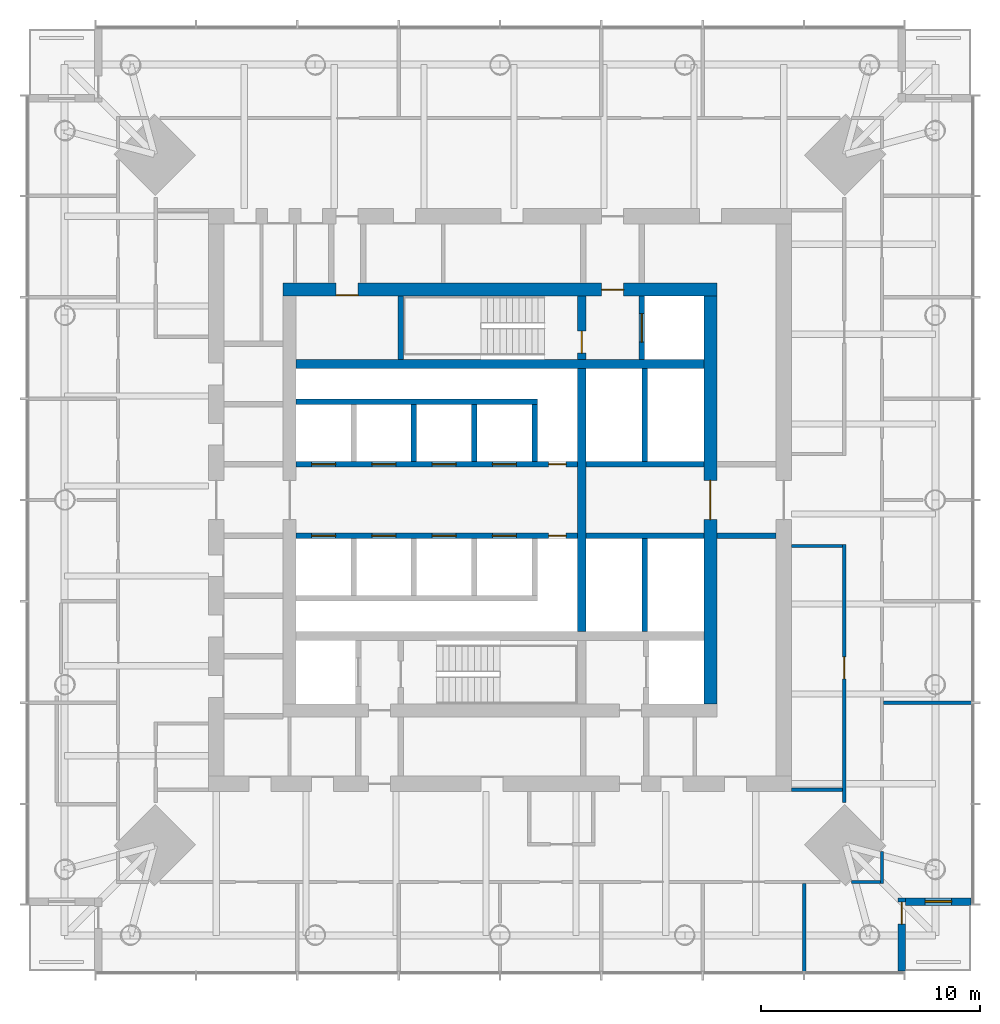
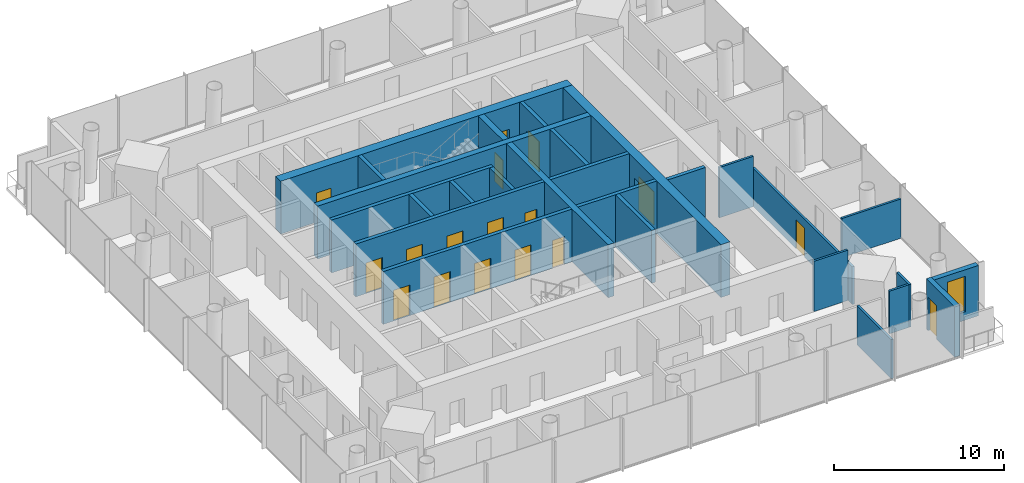
# One storey, part 6 of 9: 27 walls, 17 doors, 1 window, 18 openings.
"""IFC4 building model written with IfcOpenShell, lengths in metres."""

from ifc_helpers import new_model, si_unit, direction, frame, frame_2d, origin, place, context, subcontext, project, spatial, rectangle, extrude, material, layer, layer_set, type_object, element, fill, save


model = new_model("IFC4")

# Units and contexts
model_context = context("Model", 3, precision=1e-05, world=origin(), true_north=direction((0.0, 1.0)))
body_context = subcontext(model_context, "Body", "Model", "MODEL_VIEW")
ifc_project = project(units=[si_unit("LENGTHUNIT", "METRE"), si_unit("AREAUNIT", "SQUARE_METRE"), si_unit("VOLUMEUNIT", "CUBIC_METRE"), si_unit("PLANEANGLEUNIT", "RADIAN"), si_unit("MASSUNIT", "GRAM", prefix="KILO")], contexts=[model_context])

# Site, building, storey
site_placement = place(None, origin())
site = spatial("IfcSite", under=ifc_project, at=site_placement, CompositionType="ELEMENT")
building_placement = place(site_placement, origin())
building = spatial("IfcBuilding", under=site, at=building_placement, Name="Ostroluk Exchange", CompositionType="ELEMENT")
storey_placement = place(building_placement, frame((0.0, 0.0, 150.199951171875)))
storey = spatial("IfcBuildingStorey", under=building, at=storey_placement, Name="L38", CompositionType="ELEMENT", Elevation=150.199951171875)

# Walls
ifc_material_1 = material(Name="Concrete blockwork", Category="masonry")
ifc_layer_1 = layer(ifc_material_1, 0.25)
ifc_layer_set_1 = layer_set([ifc_layer_1], Name="Blockwork stair enclosure wall 250")
wall_type_1 = type_object("IfcWallType", Name="Blockwork stair enclosure wall 250", PredefinedType="SOLIDWALL", material=ifc_layer_set_1)
wall_1_placement = place(storey_placement, frame((54.89990234375, 44.375, 0.0), z_axis=(0.0, 0.0, 1.0), x_axis=(1.0, 0.0, 0.0)))
element("IfcWall", 1, at=wall_1_placement, inside=storey, type_object=wall_type_1, Name="Lift lobby enclosure wall", PredefinedType="SOLIDWALL", context=body_context, shape_type="SweptSolid", body=[
    extrude(rectangle(XDim=2.7001953125, YDim=0.25, at=frame_2d((1.35009765625, 0.0))), origin(), (0.0, 0.0, 1.0), 3.6201171875),
])
ifc_material_2 = material(Name="Concrete C50/60", Category="concrete")
ifc_layer_2 = layer(ifc_material_2, 0.39990234375)
ifc_layer_set_2 = layer_set([ifc_layer_2], Name="Core cross wall 400 C50/60")
wall_type_2 = type_object("IfcWallType", Name="Core cross wall 400 C50/60", PredefinedType="SHEAR", material=ifc_layer_set_2)
wall_2_placement = place(storey_placement, frame((35.699951171875, 52.199951171875, 0.0), z_axis=(0.0, 0.0, 1.0), x_axis=(1.0, 0.0, 0.0)))
element("IfcWall", 2, at=wall_2_placement, inside=storey, type_object=wall_type_2, Name="T1 core wall XN", PredefinedType="SHEAR", context=body_context, shape_type="SweptSolid", body=[
    extrude(rectangle(XDim=18.60009765625, YDim=0.39990234375, at=frame_2d((9.300048828125, 0.0))), origin(), (0.0, 0.0, 1.0), 3.800048828125),
])
wall_3_placement = place(storey_placement, frame((48.72998046875, 40.0, 0.0), z_axis=(0.0, 0.0, 1.0), x_axis=(0.0, 1.0, 0.0)))
element("IfcWall", 3, at=wall_3_placement, inside=storey, type_object=wall_type_2, Name="T1 core wall YE2", PredefinedType="SHEAR", context=body_context, shape_type="SweptSolid", body=[
    extrude(rectangle(XDim=12.0, YDim=0.39990234375, at=frame_2d((6.0, 0.0))), origin(), (0.0, 0.0, 1.0), 3.800048828125),
])

# Wall, opening, door
wall_4_placement = place(storey_placement, frame((48.72998046875, 52.39990234375, 0.0), z_axis=(0.0, 0.0, 1.0), x_axis=(0.0, 1.0, 0.0)))
wall_4 = element("IfcWall", 4, at=wall_4_placement, inside=storey, type_object=wall_type_2, Name="T1 core wall YE3", PredefinedType="SHEAR", context=body_context, shape_type="SweptSolid", body=[
    extrude(rectangle(XDim=2.900146484375, YDim=0.39990234375, at=frame_2d((1.4501953125, 0.0))), origin(), (0.0, 0.0, 1.0), 3.800048828125),
])
opening_1_placement = place(wall_4_placement, frame((0.300048828125, 0.0, 0.0)))
opening_1 = element("IfcOpeningElement", 5, at=opening_1_placement, cuts=wall_4, Name="Opening FD60", PredefinedType="OPENING", context=body_context, shape_type="SweptSolid", body=[
    extrude(rectangle(XDim=1.0, YDim=2.10009765625, at=frame_2d((0.5, 1.050048828125))), frame((0.0, 0.2099609375, 0.0), z_axis=(0.0, -1.0, 0.0), x_axis=(1.0, 0.0, 0.0)), (0.0, 0.0, 1.0), 0.419921875),
])
ifc_material_3 = material(Name="Steel", Category="steel")
door_type_1 = type_object("IfcDoorType", Name="Fire door EI 60 1000 x 2100", OperationType="SINGLE_SWING_LEFT", PredefinedType="DOOR", material=ifc_material_3)
door_1_placement = place(opening_1_placement, origin())
door_1 = element("IfcDoor", 6, at=door_1_placement, inside=storey, type_object=door_type_1, Name="Stair T1-S2 door", OperationType="SINGLE_SWING_LEFT", OverallHeight=2.10009765625, OverallWidth=1.0, PredefinedType="DOOR", context=body_context, shape_type="SweptSolid", body=[
    extrude(rectangle(XDim=1.0, YDim=2.10009765625, at=frame_2d((0.5, 1.050048828125))), frame((0.0, 0.02490234375, 0.0), z_axis=(0.0, -1.0, 0.0), x_axis=(1.0, 0.0, 0.0)), (0.0, 0.0, 1.0), 0.050048828125),
])
fill(opening_1, door_1)

# Wall
ifc_material_4 = material(Name="Concrete C40/50", Category="concrete")
ifc_layer_3 = layer(ifc_material_4, 0.25)
ifc_layer_set_3 = layer_set([ifc_layer_3], Name="Core shaft wall 250")
wall_type_3 = type_object("IfcWallType", Name="Core shaft wall 250", PredefinedType="SHEAR", material=ifc_layer_set_3)
wall_5_placement = place(storey_placement, frame((40.47509765625, 52.39990234375, 0.0), z_axis=(0.0, 0.0, 1.0), x_axis=(0.0, 1.0, 0.0)))
element("IfcWall", 7, at=wall_5_placement, inside=storey, type_object=wall_type_3, Name="Stair shaft wall", PredefinedType="SHEAR", context=body_context, shape_type="SweptSolid", body=[
    extrude(rectangle(XDim=2.900146484375, YDim=0.25, at=frame_2d((1.4501953125, 0.0))), origin(), (0.0, 0.0, 1.0), 3.800048828125),
])

# Wall, opening, door
wall_6_placement = place(storey_placement, frame((51.47509765625, 52.39990234375, 0.0), z_axis=(0.0, 0.0, 1.0), x_axis=(0.0, 1.0, 0.0)))
wall_6 = element("IfcWall", 8, at=wall_6_placement, inside=storey, type_object=wall_type_3, Name="Firefighting lift shaft wall", PredefinedType="SHEAR", context=body_context, shape_type="SweptSolid", body=[
    extrude(rectangle(XDim=2.900146484375, YDim=0.25, at=frame_2d((1.4501953125, 0.0))), origin(), (0.0, 0.0, 1.0), 3.800048828125),
])
opening_2_placement = place(wall_6_placement, frame((0.800048828125, 0.0, 0.0)))
opening_2 = element("IfcOpeningElement", 9, at=opening_2_placement, cuts=wall_6, Name="Opening LD2", PredefinedType="OPENING", context=body_context, shape_type="SweptSolid", body=[
    extrude(rectangle(XDim=1.300048828125, YDim=2.199951171875, at=frame_2d((0.64990234375, 1.10009765625))), frame((0.0, 0.135009765625, 0.0), z_axis=(0.0, -1.0, 0.0), x_axis=(1.0, 0.0, 0.0)), (0.0, 0.0, 1.0), 0.27001953125),
])
ifc_material_5 = material(Name="Stainless steel", Category="steel")
door_type_2 = type_object("IfcDoorType", Name="Lift landing door E 60 1300 x 2200", OperationType="DOUBLE_DOOR_SLIDING", PredefinedType="DOOR", material=ifc_material_5)
door_2_placement = place(opening_2_placement, origin())
door_2 = element("IfcDoor", 10, at=door_2_placement, inside=storey, type_object=door_type_2, Name="Lift FL2 landing door", OperationType="DOUBLE_DOOR_SLIDING", OverallHeight=2.199951171875, OverallWidth=1.300048828125, PredefinedType="DOOR", context=body_context, shape_type="SweptSolid", body=[
    extrude(rectangle(XDim=1.300048828125, YDim=2.199951171875, at=frame_2d((0.64990234375, 1.10009765625))), frame((0.0, 0.02490234375, 0.0), z_axis=(0.0, -1.0, 0.0), x_axis=(1.0, 0.0, 0.0)), (0.0, 0.0, 1.0), 0.050048828125),
])
fill(opening_2, door_2)

# Walls
for number, where, z_axis, x_axis, name in (
    (11, (41.074951171875, 47.75, 0.0), (0.0, 0.0, 1.0), (0.0, 1.0, 0.0), "Lift shaft wall"),
    (12, (43.824951171875, 47.75, 0.0), (0.0, 0.0, 1.0), (0.0, 1.0, 0.0), "Lift shaft wall"),
    (13, (46.574951171875, 47.75, 0.0), (0.0, 0.0, 1.0), (0.0, 1.0, 0.0), "Lift shaft wall"),
):
    element("IfcWall", number, at=place(storey_placement, frame(where, z_axis=z_axis, x_axis=x_axis)), inside=storey, type_object=wall_type_3, Name=name, PredefinedType="SHEAR", context=body_context, shape_type="SweptSolid", body=[
        extrude(rectangle(XDim=2.60009765625, YDim=0.25, at=frame_2d((1.300048828125, 0.0))), origin(), (0.0, 0.0, 1.0), 3.800048828125),
    ])
wall_7_placement = place(storey_placement, frame((35.699951171875, 50.47509765625, 0.0), z_axis=(0.0, 0.0, 1.0), x_axis=(1.0, 0.0, 0.0)))
element("IfcWall", 14, at=wall_7_placement, inside=storey, type_object=wall_type_3, Name="Lift shaft wall", PredefinedType="SHEAR", context=body_context, shape_type="SweptSolid", body=[
    extrude(rectangle(XDim=11.0, YDim=0.25, at=frame_2d((5.5, 0.0))), origin(), (0.0, 0.0, 1.0), 3.800048828125),
])

# Wall, openings, doors
wall_8_placement = place(storey_placement, frame((35.699951171875, 47.625, 0.0), z_axis=(0.0, 0.0, 1.0), x_axis=(1.0, 0.0, 0.0)))
wall_8 = element("IfcWall", 15, at=wall_8_placement, inside=storey, type_object=wall_type_3, Name="Lift shaft front wall", PredefinedType="SHEAR", context=body_context, shape_type="SweptSolid", body=[
    extrude(rectangle(XDim=12.830078125, YDim=0.25, at=frame_2d((6.4150390625, 0.0))), origin(), (0.0, 0.0, 1.0), 3.800048828125),
])
opening_3_placement = place(wall_8_placement, frame((0.699951171875, 0.0, 0.0)))
opening_3 = element("IfcOpeningElement", 16, at=opening_3_placement, cuts=wall_8, Name="Opening LD", PredefinedType="OPENING", context=body_context, shape_type="SweptSolid", body=[
    extrude(rectangle(XDim=1.10009765625, YDim=2.199951171875, at=frame_2d((0.550048828125, 1.10009765625))), frame((0.0, 0.135009765625, 0.0), z_axis=(0.0, -1.0, 0.0), x_axis=(1.0, 0.0, 0.0)), (0.0, 0.0, 1.0), 0.27001953125),
])
opening_4_placement = place(wall_8_placement, frame((3.449951171875, 0.0, 0.0)))
opening_4 = element("IfcOpeningElement", 17, at=opening_4_placement, cuts=wall_8, Name="Opening LD", PredefinedType="OPENING", context=body_context, shape_type="SweptSolid", body=[
    extrude(rectangle(XDim=1.10009765625, YDim=2.199951171875, at=frame_2d((0.550048828125, 1.10009765625))), frame((0.0, 0.135009765625, 0.0), z_axis=(0.0, -1.0, 0.0), x_axis=(1.0, 0.0, 0.0)), (0.0, 0.0, 1.0), 0.27001953125),
])
opening_5_placement = place(wall_8_placement, frame((6.199951171875, 0.0, 0.0)))
opening_5 = element("IfcOpeningElement", 18, at=opening_5_placement, cuts=wall_8, Name="Opening LD", PredefinedType="OPENING", context=body_context, shape_type="SweptSolid", body=[
    extrude(rectangle(XDim=1.10009765625, YDim=2.199951171875, at=frame_2d((0.550048828125, 1.10009765625))), frame((0.0, 0.135009765625, 0.0), z_axis=(0.0, -1.0, 0.0), x_axis=(1.0, 0.0, 0.0)), (0.0, 0.0, 1.0), 0.27001953125),
])
opening_6_placement = place(wall_8_placement, frame((8.949951171875, 0.0, 0.0)))
opening_6 = element("IfcOpeningElement", 19, at=opening_6_placement, cuts=wall_8, Name="Opening LD", PredefinedType="OPENING", context=body_context, shape_type="SweptSolid", body=[
    extrude(rectangle(XDim=1.10009765625, YDim=2.199951171875, at=frame_2d((0.550048828125, 1.10009765625))), frame((0.0, 0.135009765625, 0.0), z_axis=(0.0, -1.0, 0.0), x_axis=(1.0, 0.0, 0.0)), (0.0, 0.0, 1.0), 0.27001953125),
])
opening_7_placement = place(wall_8_placement, frame((11.514892578125, 0.0, 0.0)))
opening_7 = element("IfcOpeningElement", 20, at=opening_7_placement, cuts=wall_8, Name="Opening RD60", PredefinedType="OPENING", context=body_context, shape_type="SweptSolid", body=[
    extrude(rectangle(XDim=0.800048828125, YDim=2.0, at=frame_2d((0.39990234375, 1.0))), frame((0.0, 0.135009765625, 0.0), z_axis=(0.0, -1.0, 0.0), x_axis=(1.0, 0.0, 0.0)), (0.0, 0.0, 1.0), 0.27001953125),
])
ifc_material_6 = material(Name="Stainless steel", Category="steel")
door_type_3 = type_object("IfcDoorType", Name="Lift landing door E 60 1100 x 2200", OperationType="DOUBLE_DOOR_SLIDING", PredefinedType="DOOR", material=ifc_material_6)
door_3_placement = place(opening_3_placement, origin())
door_3 = element("IfcDoor", 21, at=door_3_placement, inside=storey, type_object=door_type_3, Name="Lift PL-M1 landing door", OperationType="DOUBLE_DOOR_SLIDING", OverallHeight=2.199951171875, OverallWidth=1.10009765625, PredefinedType="DOOR", context=body_context, shape_type="SweptSolid", body=[
    extrude(rectangle(XDim=1.10009765625, YDim=2.199951171875, at=frame_2d((0.550048828125, 1.10009765625))), frame((0.0, 0.02490234375, 0.0), z_axis=(0.0, -1.0, 0.0), x_axis=(1.0, 0.0, 0.0)), (0.0, 0.0, 1.0), 0.050048828125),
])
fill(opening_3, door_3)
door_4_placement = place(opening_4_placement, origin())
door_4 = element("IfcDoor", 22, at=door_4_placement, inside=storey, type_object=door_type_3, Name="Lift PL-M2 landing door", OperationType="DOUBLE_DOOR_SLIDING", OverallHeight=2.199951171875, OverallWidth=1.10009765625, PredefinedType="DOOR", context=body_context, shape_type="SweptSolid", body=[
    extrude(rectangle(XDim=1.10009765625, YDim=2.199951171875, at=frame_2d((0.550048828125, 1.10009765625))), frame((0.0, 0.02490234375, 0.0), z_axis=(0.0, -1.0, 0.0), x_axis=(1.0, 0.0, 0.0)), (0.0, 0.0, 1.0), 0.050048828125),
])
fill(opening_4, door_4)
door_5_placement = place(opening_5_placement, origin())
door_5 = element("IfcDoor", 23, at=door_5_placement, inside=storey, type_object=door_type_3, Name="Lift PL-M3 landing door", OperationType="DOUBLE_DOOR_SLIDING", OverallHeight=2.199951171875, OverallWidth=1.10009765625, PredefinedType="DOOR", context=body_context, shape_type="SweptSolid", body=[
    extrude(rectangle(XDim=1.10009765625, YDim=2.199951171875, at=frame_2d((0.550048828125, 1.10009765625))), frame((0.0, 0.02490234375, 0.0), z_axis=(0.0, -1.0, 0.0), x_axis=(1.0, 0.0, 0.0)), (0.0, 0.0, 1.0), 0.050048828125),
])
fill(opening_5, door_5)
door_6_placement = place(opening_6_placement, origin())
door_6 = element("IfcDoor", 24, at=door_6_placement, inside=storey, type_object=door_type_3, Name="Lift PL-M4 landing door", OperationType="DOUBLE_DOOR_SLIDING", OverallHeight=2.199951171875, OverallWidth=1.10009765625, PredefinedType="DOOR", context=body_context, shape_type="SweptSolid", body=[
    extrude(rectangle(XDim=1.10009765625, YDim=2.199951171875, at=frame_2d((0.550048828125, 1.10009765625))), frame((0.0, 0.02490234375, 0.0), z_axis=(0.0, -1.0, 0.0), x_axis=(1.0, 0.0, 0.0)), (0.0, 0.0, 1.0), 0.050048828125),
])
fill(opening_6, door_6)
ifc_material_7 = material(Name="Steel", Category="steel")
door_type_4 = type_object("IfcDoorType", Name="Riser access door EI 60 800 x 2000", OperationType="SINGLE_SWING_LEFT", PredefinedType="DOOR", material=ifc_material_7)
door_7_placement = place(opening_7_placement, origin())
door_7 = element("IfcDoor", 25, at=door_7_placement, inside=storey, type_object=door_type_4, Name="Riser access door", OperationType="SINGLE_SWING_RIGHT", OverallHeight=2.0, OverallWidth=0.800048828125, PredefinedType="DOOR", context=body_context, shape_type="SweptSolid", body=[
    extrude(rectangle(XDim=0.800048828125, YDim=2.0, at=frame_2d((0.39990234375, 1.0))), frame((0.0, 0.02490234375, 0.0), z_axis=(0.0, -1.0, 0.0), x_axis=(1.0, 0.0, 0.0)), (0.0, 0.0, 1.0), 0.050048828125),
])
fill(opening_7, door_7)

wall_9_placement = place(storey_placement, frame((35.699951171875, 44.375, 0.0), z_axis=(0.0, 0.0, 1.0), x_axis=(1.0, 0.0, 0.0)))
wall_9 = element("IfcWall", 26, at=wall_9_placement, inside=storey, type_object=wall_type_3, Name="Lift shaft front wall", PredefinedType="SHEAR", context=body_context, shape_type="SweptSolid", body=[
    extrude(rectangle(XDim=12.830078125, YDim=0.25, at=frame_2d((6.4150390625, 0.0))), origin(), (0.0, 0.0, 1.0), 3.800048828125),
])
opening_8_placement = place(wall_9_placement, frame((0.699951171875, 0.0, 0.0)))
opening_8 = element("IfcOpeningElement", 27, at=opening_8_placement, cuts=wall_9, Name="Opening LD", PredefinedType="OPENING", context=body_context, shape_type="SweptSolid", body=[
    extrude(rectangle(XDim=1.10009765625, YDim=2.199951171875, at=frame_2d((0.550048828125, 1.10009765625))), frame((0.0, 0.135009765625, 0.0), z_axis=(0.0, -1.0, 0.0), x_axis=(1.0, 0.0, 0.0)), (0.0, 0.0, 1.0), 0.27001953125),
])
opening_9_placement = place(wall_9_placement, frame((3.449951171875, 0.0, 0.0)))
opening_9 = element("IfcOpeningElement", 28, at=opening_9_placement, cuts=wall_9, Name="Opening LD", PredefinedType="OPENING", context=body_context, shape_type="SweptSolid", body=[
    extrude(rectangle(XDim=1.10009765625, YDim=2.199951171875, at=frame_2d((0.550048828125, 1.10009765625))), frame((0.0, 0.135009765625, 0.0), z_axis=(0.0, -1.0, 0.0), x_axis=(1.0, 0.0, 0.0)), (0.0, 0.0, 1.0), 0.27001953125),
])
opening_10_placement = place(wall_9_placement, frame((6.199951171875, 0.0, 0.0)))
opening_10 = element("IfcOpeningElement", 29, at=opening_10_placement, cuts=wall_9, Name="Opening LD", PredefinedType="OPENING", context=body_context, shape_type="SweptSolid", body=[
    extrude(rectangle(XDim=1.10009765625, YDim=2.199951171875, at=frame_2d((0.550048828125, 1.10009765625))), frame((0.0, 0.135009765625, 0.0), z_axis=(0.0, -1.0, 0.0), x_axis=(1.0, 0.0, 0.0)), (0.0, 0.0, 1.0), 0.27001953125),
])
opening_11_placement = place(wall_9_placement, frame((8.949951171875, 0.0, 0.0)))
opening_11 = element("IfcOpeningElement", 30, at=opening_11_placement, cuts=wall_9, Name="Opening LD", PredefinedType="OPENING", context=body_context, shape_type="SweptSolid", body=[
    extrude(rectangle(XDim=1.10009765625, YDim=2.199951171875, at=frame_2d((0.550048828125, 1.10009765625))), frame((0.0, 0.135009765625, 0.0), z_axis=(0.0, -1.0, 0.0), x_axis=(1.0, 0.0, 0.0)), (0.0, 0.0, 1.0), 0.27001953125),
])
opening_12_placement = place(wall_9_placement, frame((11.514892578125, 0.0, 0.0)))
opening_12 = element("IfcOpeningElement", 31, at=opening_12_placement, cuts=wall_9, Name="Opening RD60", PredefinedType="OPENING", context=body_context, shape_type="SweptSolid", body=[
    extrude(rectangle(XDim=0.800048828125, YDim=2.0, at=frame_2d((0.39990234375, 1.0))), frame((0.0, 0.135009765625, 0.0), z_axis=(0.0, -1.0, 0.0), x_axis=(1.0, 0.0, 0.0)), (0.0, 0.0, 1.0), 0.27001953125),
])
door_8_placement = place(opening_8_placement, origin())
door_8 = element("IfcDoor", 32, at=door_8_placement, inside=storey, type_object=door_type_3, Name="Lift PL-M5 landing door", OperationType="DOUBLE_DOOR_SLIDING", OverallHeight=2.199951171875, OverallWidth=1.10009765625, PredefinedType="DOOR", context=body_context, shape_type="SweptSolid", body=[
    extrude(rectangle(XDim=1.10009765625, YDim=2.199951171875, at=frame_2d((0.550048828125, 1.10009765625))), frame((0.0, 0.02490234375, 0.0), z_axis=(0.0, -1.0, 0.0), x_axis=(1.0, 0.0, 0.0)), (0.0, 0.0, 1.0), 0.050048828125),
])
fill(opening_8, door_8)
door_9_placement = place(opening_9_placement, origin())
door_9 = element("IfcDoor", 33, at=door_9_placement, inside=storey, type_object=door_type_3, Name="Lift PL-M6 landing door", OperationType="DOUBLE_DOOR_SLIDING", OverallHeight=2.199951171875, OverallWidth=1.10009765625, PredefinedType="DOOR", context=body_context, shape_type="SweptSolid", body=[
    extrude(rectangle(XDim=1.10009765625, YDim=2.199951171875, at=frame_2d((0.550048828125, 1.10009765625))), frame((0.0, 0.02490234375, 0.0), z_axis=(0.0, -1.0, 0.0), x_axis=(1.0, 0.0, 0.0)), (0.0, 0.0, 1.0), 0.050048828125),
])
fill(opening_9, door_9)
door_10_placement = place(opening_10_placement, origin())
door_10 = element("IfcDoor", 34, at=door_10_placement, inside=storey, type_object=door_type_3, Name="Lift PL-M7 landing door", OperationType="DOUBLE_DOOR_SLIDING", OverallHeight=2.199951171875, OverallWidth=1.10009765625, PredefinedType="DOOR", context=body_context, shape_type="SweptSolid", body=[
    extrude(rectangle(XDim=1.10009765625, YDim=2.199951171875, at=frame_2d((0.550048828125, 1.10009765625))), frame((0.0, 0.02490234375, 0.0), z_axis=(0.0, -1.0, 0.0), x_axis=(1.0, 0.0, 0.0)), (0.0, 0.0, 1.0), 0.050048828125),
])
fill(opening_10, door_10)
door_11_placement = place(opening_11_placement, origin())
door_11 = element("IfcDoor", 35, at=door_11_placement, inside=storey, type_object=door_type_3, Name="Lift PL-M8 landing door", OperationType="DOUBLE_DOOR_SLIDING", OverallHeight=2.199951171875, OverallWidth=1.10009765625, PredefinedType="DOOR", context=body_context, shape_type="SweptSolid", body=[
    extrude(rectangle(XDim=1.10009765625, YDim=2.199951171875, at=frame_2d((0.550048828125, 1.10009765625))), frame((0.0, 0.02490234375, 0.0), z_axis=(0.0, -1.0, 0.0), x_axis=(1.0, 0.0, 0.0)), (0.0, 0.0, 1.0), 0.050048828125),
])
fill(opening_11, door_11)
door_12_placement = place(opening_12_placement, origin())
door_12 = element("IfcDoor", 36, at=door_12_placement, inside=storey, type_object=door_type_4, Name="Riser access door", OperationType="SINGLE_SWING_RIGHT", OverallHeight=2.0, OverallWidth=0.800048828125, PredefinedType="DOOR", context=body_context, shape_type="SweptSolid", body=[
    extrude(rectangle(XDim=0.800048828125, YDim=2.0, at=frame_2d((0.39990234375, 1.0))), frame((0.0, 0.02490234375, 0.0), z_axis=(0.0, -1.0, 0.0), x_axis=(1.0, 0.0, 0.0)), (0.0, 0.0, 1.0), 0.050048828125),
])
fill(opening_12, door_12)

# Walls
wall_10_placement = place(storey_placement, frame((51.614990234375, 47.75, 0.0), z_axis=(0.0, 0.0, 1.0), x_axis=(0.0, 1.0, 0.0)))
element("IfcWall", 37, at=wall_10_placement, inside=storey, type_object=wall_type_3, Name="Lift shaft wall", PredefinedType="SHEAR", context=body_context, shape_type="SweptSolid", body=[
    extrude(rectangle(XDim=4.25, YDim=0.25, at=frame_2d((2.125, 0.0))), origin(), (0.0, 0.0, 1.0), 3.800048828125),
])
wall_11_placement = place(storey_placement, frame((48.929931640625, 47.625, 0.0), z_axis=(0.0, 0.0, 1.0), x_axis=(1.0, 0.0, 0.0)))
element("IfcWall", 38, at=wall_11_placement, inside=storey, type_object=wall_type_3, Name="Lift shaft front wall", PredefinedType="SHEAR", context=body_context, shape_type="SweptSolid", body=[
    extrude(rectangle(XDim=5.3701171875, YDim=0.25, at=frame_2d((2.68505859375, 0.0))), origin(), (0.0, 0.0, 1.0), 3.800048828125),
])
wall_12_placement = place(storey_placement, frame((51.614990234375, 44.25, 0.0), z_axis=(0.0, 0.0, 1.0), x_axis=(0.0, -1.0, 0.0)))
element("IfcWall", 39, at=wall_12_placement, inside=storey, type_object=wall_type_3, Name="Lift shaft wall", PredefinedType="SHEAR", context=body_context, shape_type="SweptSolid", body=[
    extrude(rectangle(XDim=4.25, YDim=0.25, at=frame_2d((2.125, 0.0))), origin(), (0.0, 0.0, 1.0), 3.800048828125),
])
wall_13_placement = place(storey_placement, frame((48.929931640625, 44.375, 0.0), z_axis=(0.0, 0.0, 1.0), x_axis=(1.0, 0.0, 0.0)))
element("IfcWall", 40, at=wall_13_placement, inside=storey, type_object=wall_type_3, Name="Lift shaft front wall", PredefinedType="SHEAR", context=body_context, shape_type="SweptSolid", body=[
    extrude(rectangle(XDim=5.3701171875, YDim=0.25, at=frame_2d((2.68505859375, 0.0))), origin(), (0.0, 0.0, 1.0), 3.800048828125),
])

# Wall, openings, doors
ifc_material_8 = material(Name="Concrete C50/60", Category="concrete")
ifc_layer_4 = layer(ifc_material_8, 0.60009765625)
ifc_layer_set_4 = layer_set([ifc_layer_4], Name="Core wall 600 C50/60")
wall_type_4 = type_object("IfcWallType", Name="Core wall 600 C50/60", PredefinedType="SHEAR", material=ifc_layer_set_4)
wall_14_placement = place(storey_placement, frame((35.10009765625, 55.60009765625, 0.0), z_axis=(0.0, 0.0, 1.0), x_axis=(1.0, 0.0, 0.0)))
wall_14 = element("IfcWall", 41, at=wall_14_placement, inside=storey, type_object=wall_type_4, Name="T1 core wall N", PredefinedType="SHEAR", context=body_context, shape_type="SweptSolid", body=[
    extrude(rectangle(XDim=19.7998046875, YDim=0.60009765625, at=frame_2d((9.89990234375, 0.0))), origin(), (0.0, 0.0, 1.0), 3.800048828125),
])
opening_13_placement = place(wall_14_placement, frame((14.5400390625, 0.0, 0.0)))
opening_13 = element("IfcOpeningElement", 42, at=opening_13_placement, cuts=wall_14, Name="Opening FD60", PredefinedType="OPENING", context=body_context, shape_type="SweptSolid", body=[
    extrude(rectangle(XDim=1.0, YDim=2.10009765625, at=frame_2d((0.5, 1.050048828125))), frame((0.0, 0.31005859375, 0.0), z_axis=(0.0, -1.0, 0.0), x_axis=(1.0, 0.0, 0.0)), (0.0, 0.0, 1.0), 0.6201171875),
])
opening_14_placement = place(wall_14_placement, frame((2.425048828125, 0.0, 0.0)))
opening_14 = element("IfcOpeningElement", 43, at=opening_14_placement, cuts=wall_14, Name="Opening FD60", PredefinedType="OPENING", context=body_context, shape_type="SweptSolid", body=[
    extrude(rectangle(XDim=1.0, YDim=2.10009765625, at=frame_2d((0.5, 1.050048828125))), frame((0.0, 0.31005859375, 0.0), z_axis=(0.0, -1.0, 0.0), x_axis=(1.0, 0.0, 0.0)), (0.0, 0.0, 1.0), 0.6201171875),
])
door_13_placement = place(opening_13_placement, origin())
door_13 = element("IfcDoor", 44, at=door_13_placement, inside=storey, type_object=door_type_1, Name="Firefighting lobby door", OperationType="SINGLE_SWING_RIGHT", OverallHeight=2.10009765625, OverallWidth=1.0, PredefinedType="DOOR", context=body_context, shape_type="SweptSolid", body=[
    extrude(rectangle(XDim=1.0, YDim=2.10009765625, at=frame_2d((0.5, 1.050048828125))), frame((0.0, 0.02490234375, 0.0), z_axis=(0.0, -1.0, 0.0), x_axis=(1.0, 0.0, 0.0)), (0.0, 0.0, 1.0), 0.050048828125),
])
fill(opening_13, door_13)
door_14_placement = place(opening_14_placement, origin())
door_14 = element("IfcDoor", 45, at=door_14_placement, inside=storey, type_object=door_type_1, Name="Tea point door", OperationType="SINGLE_SWING_LEFT", OverallHeight=2.10009765625, OverallWidth=1.0, PredefinedType="DOOR", context=body_context, shape_type="SweptSolid", body=[
    extrude(rectangle(XDim=1.0, YDim=2.10009765625, at=frame_2d((0.5, 1.050048828125))), frame((0.0, -0.23974609375, 0.0), z_axis=(0.0, -1.0, 0.0), x_axis=(1.0, 0.0, 0.0)), (0.0, 0.0, 1.0), 0.050048828125),
])
fill(opening_14, door_14)

# Wall, opening, door
wall_15_placement = place(storey_placement, frame((54.60009765625, 36.699951171875, 0.0), z_axis=(0.0, 0.0, 1.0), x_axis=(0.0, 1.0, 0.0)))
wall_15 = element("IfcWall", 46, at=wall_15_placement, inside=storey, type_object=wall_type_4, Name="T1 core wall E", PredefinedType="SHEAR", context=body_context, shape_type="SweptSolid", body=[
    extrude(rectangle(XDim=18.60009765625, YDim=0.60009765625, at=frame_2d((9.300048828125, 0.0))), origin(), (0.0, 0.0, 1.0), 3.800048828125),
])
opening_15_placement = place(wall_15_placement, frame((8.39990234375, 0.0, 0.0)))
opening_15 = element("IfcOpeningElement", 47, at=opening_15_placement, cuts=wall_15, Name="Opening FD30D", PredefinedType="OPENING", context=body_context, shape_type="SweptSolid", body=[
    extrude(rectangle(XDim=1.800048828125, YDim=2.39990234375, at=frame_2d((0.89990234375, 1.199951171875))), frame((0.0, 0.31005859375, 0.0), z_axis=(0.0, -1.0, 0.0), x_axis=(1.0, 0.0, 0.0)), (0.0, 0.0, 1.0), 0.6201171875),
])
ifc_material_9 = material(Name="Timber", Category="wood")
door_type_5 = type_object("IfcDoorType", Name="Lobby double door EI 30 1800 x 2400", OperationType="DOUBLE_DOOR_SINGLE_SWING", PredefinedType="DOOR", material=ifc_material_9)
door_15_placement = place(opening_15_placement, origin())
door_15 = element("IfcDoor", 48, at=door_15_placement, inside=storey, type_object=door_type_5, Name="Lift lobby doors", OperationType="DOUBLE_DOOR_SINGLE_SWING", OverallHeight=2.39990234375, OverallWidth=1.800048828125, PredefinedType="DOOR", context=body_context, shape_type="SweptSolid", body=[
    extrude(rectangle(XDim=1.800048828125, YDim=2.39990234375, at=frame_2d((0.89990234375, 1.199951171875))), frame((0.0, 0.02490234375, 0.0), z_axis=(0.0, -1.0, 0.0), x_axis=(1.0, 0.0, 0.0)), (0.0, 0.0, 1.0), 0.050048828125),
])
fill(opening_15, door_15)

ifc_material_10 = material(Name="Limestone", Category="masonry")
ifc_layer_5 = layer(ifc_material_10, 0.35009765625)
ifc_layer_set_5 = layer_set([ifc_layer_5], Name="Limestone facade wall 350")
wall_type_5 = type_object("IfcWallType", Name="Limestone facade wall 350", PredefinedType="SOLIDWALL", material=ifc_layer_set_5)
wall_16_placement = place(storey_placement, frame((63.324951171875, 24.5, 0.0), z_axis=(0.0, 0.0, 1.0), x_axis=(0.0, 1.0, 0.0)))
wall_16 = element("IfcWall", 49, at=wall_16_placement, inside=storey, type_object=wall_type_5, Name="Office tower SE corner wall L38 a", PredefinedType="SOLIDWALL", context=body_context, shape_type="SweptSolid", body=[
    extrude(rectangle(XDim=3.35009765625, YDim=0.35009765625, at=frame_2d((1.675048828125, 0.0))), origin(), (0.0, 0.0, 1.0), 3.6201171875),
])
opening_16_placement = place(wall_16_placement, frame((2.14990234375, 0.0, 0.0)))
opening_16 = element("IfcOpeningElement", 50, at=opening_16_placement, cuts=wall_16, Name="Opening D-B1", PredefinedType="OPENING", context=body_context, shape_type="SweptSolid", body=[
    extrude(rectangle(XDim=1.0, YDim=2.39990234375, at=frame_2d((0.5, 1.199951171875))), frame((0.0, 0.18505859375, 0.0), z_axis=(0.0, -1.0, 0.0), x_axis=(1.0, 0.0, 0.0)), (0.0, 0.0, 1.0), 0.3701171875),
])
ifc_material_11 = material(Name="Bronze framed glazed door", Category="aluminium")
door_type_6 = type_object("IfcDoorType", Name="Balcony door 1000 x 2400", OperationType="SINGLE_SWING_LEFT", PredefinedType="DOOR", material=ifc_material_11)
door_16_placement = place(opening_16_placement, origin())
door_16 = element("IfcDoor", 51, at=door_16_placement, inside=storey, type_object=door_type_6, Name="Office tower SE balcony door L38", OperationType="SINGLE_SWING_RIGHT", OverallHeight=2.39990234375, OverallWidth=1.0, PredefinedType="DOOR", context=body_context, shape_type="SweptSolid", body=[
    extrude(rectangle(XDim=1.0, YDim=2.39990234375, at=frame_2d((0.5, 1.199951171875))), frame((0.0, 0.02490234375, 0.0), z_axis=(0.0, -1.0, 0.0), x_axis=(1.0, 0.0, 0.0)), (0.0, 0.0, 1.0), 0.050048828125),
])
fill(opening_16, door_16)

# Wall, opening, window
wall_17_placement = place(storey_placement, frame((63.5, 27.675048828125, 0.0), z_axis=(0.0, 0.0, 1.0), x_axis=(1.0, 0.0, 0.0)))
wall_17 = element("IfcWall", 52, at=wall_17_placement, inside=storey, type_object=wall_type_5, Name="Office tower SE corner wall L38 b", PredefinedType="SOLIDWALL", context=body_context, shape_type="SweptSolid", body=[
    extrude(rectangle(XDim=3.0, YDim=0.35009765625, at=frame_2d((1.5, 0.0))), origin(), (0.0, 0.0, 1.0), 3.6201171875),
])
opening_17_placement = place(wall_17_placement, frame((0.89990234375, 0.0, 0.60009765625)))
opening_17 = element("IfcOpeningElement", 53, at=opening_17_placement, cuts=wall_17, Name="Opening WN-L1", PredefinedType="OPENING", context=body_context, shape_type="SweptSolid", body=[
    extrude(rectangle(XDim=1.199951171875, YDim=2.550048828125, at=frame_2d((0.60009765625, 1.27490234375))), frame((0.0, 0.18505859375, 0.0), z_axis=(0.0, -1.0, 0.0), x_axis=(1.0, 0.0, 0.0)), (0.0, 0.0, 1.0), 0.3701171875),
])
ifc_material_12 = material(Name="Laminated clear glass", Category="glass")
window_type = type_object("IfcWindowType", Name="Lancet window 1200 x 2550", PartitioningType="SINGLE_PANEL", PredefinedType="WINDOW", material=ifc_material_12)
window_placement = place(opening_17_placement, origin())
window = element("IfcWindow", 54, at=window_placement, inside=storey, type_object=window_type, Name="Office tower SE lancet window L38", OverallHeight=2.550048828125, OverallWidth=1.199951171875, PartitioningType="SINGLE_PANEL", PredefinedType="WINDOW", context=body_context, shape_type="SweptSolid", body=[
    extrude(rectangle(XDim=1.199951171875, YDim=2.550048828125, at=frame_2d((0.60009765625, 1.27490234375))), frame((0.0, 0.030029296875, 0.0), z_axis=(0.0, -1.0, 0.0), x_axis=(1.0, 0.0, 0.0)), (0.0, 0.0, 1.0), 0.06005859375),
])
fill(opening_17, window)

# Wall, opening, door
ifc_material_13 = material(Name="Gypsum plasterboard partition", Category="gypsum")
ifc_layer_6 = layer(ifc_material_13, 0.14990234375)
ifc_layer_set_6 = layer_set([ifc_layer_6], Name="Plasterboard partition 150")
wall_type_6 = type_object("IfcWallType", Name="Plasterboard partition 150", PredefinedType="PARTITIONING", material=ifc_layer_set_6)
wall_18_placement = place(storey_placement, frame((60.699951171875, 32.199951171875, 0.0), z_axis=(0.0, 0.0, 1.0), x_axis=(0.0, 1.0, 0.0)))
wall_18 = element("IfcWall", 55, at=wall_18_placement, inside=storey, type_object=wall_type_6, Name="Partition", PredefinedType="PARTITIONING", context=body_context, shape_type="SweptSolid", body=[
    extrude(rectangle(XDim=11.775146484375, YDim=0.14990234375, at=frame_2d((5.8876953125, 0.0))), origin(), (0.0, 0.0, 1.0), 2.719970703125),
])
opening_18_placement = place(wall_18_placement, frame((5.637451171875, 0.0, 0.0)))
opening_18 = element("IfcOpeningElement", 56, at=opening_18_placement, cuts=wall_18, Name="Opening D-03", PredefinedType="OPENING", context=body_context, shape_type="SweptSolid", body=[
    extrude(rectangle(XDim=1.0, YDim=2.10009765625, at=frame_2d((0.5, 1.050048828125))), frame((0.0, 0.0849609375, 0.0), z_axis=(0.0, -1.0, 0.0), x_axis=(1.0, 0.0, 0.0)), (0.0, 0.0, 1.0), 0.169921875),
])
ifc_material_14 = material(Name="Timber", Category="wood")
door_type_7 = type_object("IfcDoorType", Name="Internal door 1000 x 2100", OperationType="SINGLE_SWING_LEFT", PredefinedType="DOOR", material=ifc_material_14)
door_17_placement = place(opening_18_placement, origin())
door_17 = element("IfcDoor", 57, at=door_17_placement, inside=storey, type_object=door_type_7, Name="Meeting room door", OperationType="SINGLE_SWING_RIGHT", OverallHeight=2.10009765625, OverallWidth=1.0, PredefinedType="DOOR", context=body_context, shape_type="SweptSolid", body=[
    extrude(rectangle(XDim=1.0, YDim=2.10009765625, at=frame_2d((0.5, 1.050048828125))), frame((0.0, 0.02490234375, 0.0), z_axis=(0.0, -1.0, 0.0), x_axis=(1.0, 0.0, 0.0)), (0.0, 0.0, 1.0), 0.050048828125),
])
fill(opening_18, door_17)

# Walls
for number, where, z_axis, x_axis, name in (
    (58, (58.300048828125, 32.77490234375, 0.0), (0.0, 0.0, 1.0), (1.0, 0.0, 0.0), "Partition"),
    (59, (58.300048828125, 43.89990234375, 0.0), (0.0, 0.0, 1.0), (1.0, 0.0, 0.0), "Partition"),
):
    element("IfcWall", number, at=place(storey_placement, frame(where, z_axis=z_axis, x_axis=x_axis)), inside=storey, type_object=wall_type_6, Name=name, PredefinedType="PARTITIONING", context=body_context, shape_type="SweptSolid", body=[
        extrude(rectangle(XDim=2.324951171875, YDim=0.14990234375, at=frame_2d((1.16259765625, 0.0))), origin(), (0.0, 0.0, 1.0), 3.6201171875),
    ])
wall_19_placement = place(storey_placement, frame((62.425048828125, 28.5, 0.0), z_axis=(0.0, 0.0, 1.0), x_axis=(0.0, 1.0, 0.0)))
element("IfcWall", 60, at=wall_19_placement, inside=storey, type_object=wall_type_6, Name="Partition", PredefinedType="PARTITIONING", context=body_context, shape_type="SweptSolid", body=[
    extrude(rectangle(XDim=1.46875, YDim=0.14990234375, at=frame_2d((0.734375, 0.0))), origin(), (0.0, 0.0, 1.0), 3.070068359375),
])
wall_20_placement = place(storey_placement, frame((62.5, 36.75, 0.0), z_axis=(0.0, 0.0, 1.0), x_axis=(1.0, 0.0, 0.0)))
element("IfcWall", 61, at=wall_20_placement, inside=storey, type_object=wall_type_6, Name="Partition", PredefinedType="PARTITIONING", context=body_context, shape_type="SweptSolid", body=[
    extrude(rectangle(XDim=4.0400390625, YDim=0.14990234375, at=frame_2d((2.02001953125, 0.0))), origin(), (0.0, 0.0, 1.0), 2.820068359375),
])
wall_21_placement = place(storey_placement, frame((61.03125, 28.574951171875, 0.0), z_axis=(0.0, 0.0, 1.0), x_axis=(1.0, 0.0, 0.0)))
element("IfcWall", 62, at=wall_21_placement, inside=storey, type_object=wall_type_6, Name="Partition", PredefinedType="PARTITIONING", context=body_context, shape_type="SweptSolid", body=[
    extrude(rectangle(XDim=1.31884765625, YDim=0.14990234375, at=frame_2d((0.659423828125, 0.0))), origin(), (0.0, 0.0, 1.0), 3.070068359375),
])
wall_22_placement = place(storey_placement, frame((58.875, 28.5, 0.0), z_axis=(0.0, 0.0, 1.0), x_axis=(0.0, -1.0, 0.0)))
element("IfcWall", 63, at=wall_22_placement, inside=storey, type_object=wall_type_6, Name="Partition", PredefinedType="PARTITIONING", context=body_context, shape_type="SweptSolid", body=[
    extrude(rectangle(XDim=4.0400390625, YDim=0.14990234375, at=frame_2d((2.02001953125, 0.0))), origin(), (0.0, 0.0, 1.0), 2.820068359375),
])

save(model, "model.ifc")
